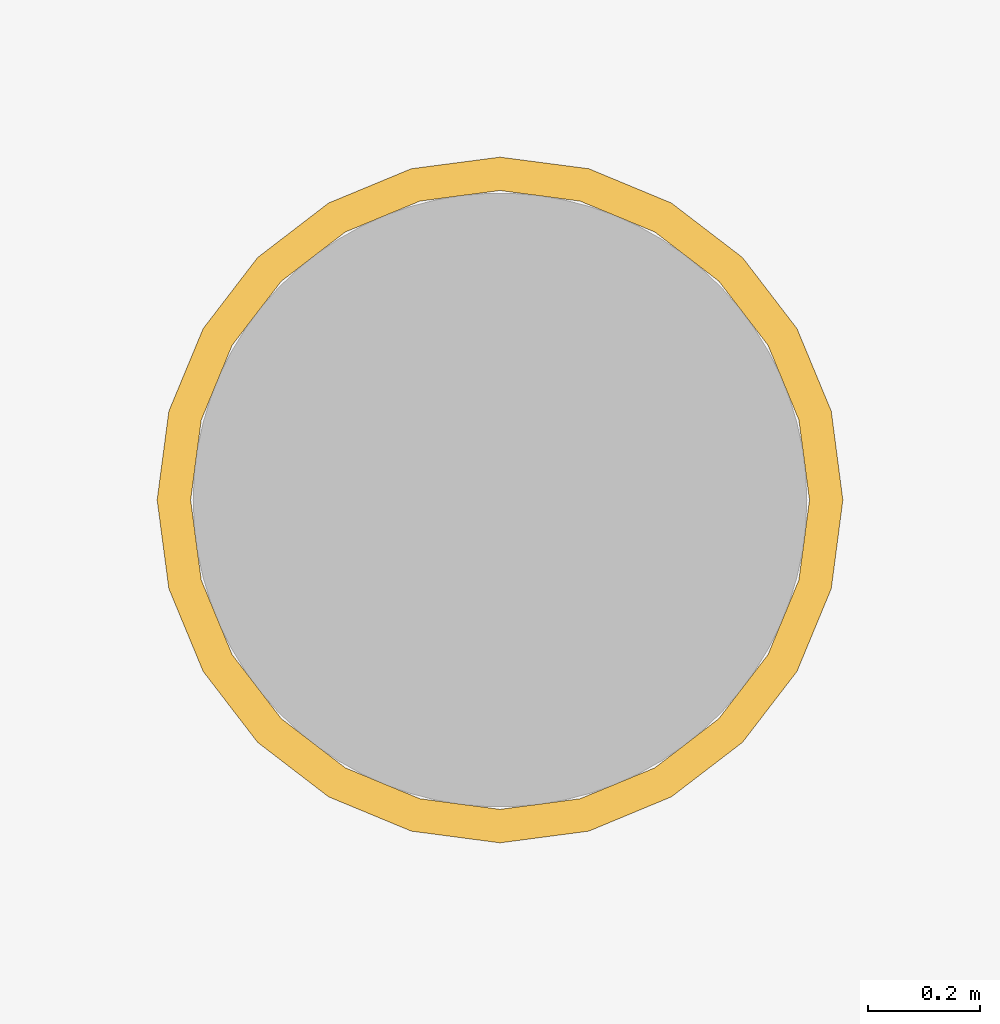
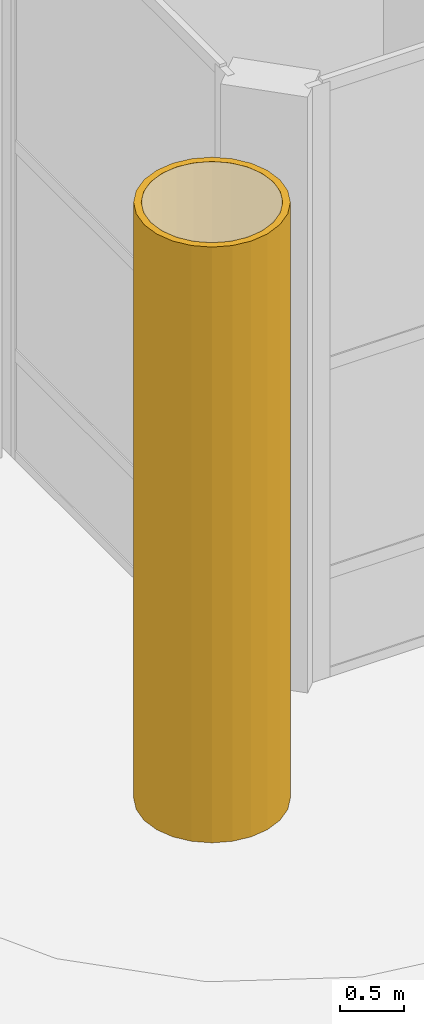
# One storey, part 23 of 32: 1 covering.
"""IFC4 building model written with IfcOpenShell, lengths in metres."""

from ifc_helpers import new_model, si_unit, direction, origin, place, context, subcontext, project, spatial, polyline, outline, extrude, material, layer, layer_set, type_object, element, save


model = new_model("IFC4")

# Units and contexts
model_context = context("Model", 3, precision=1e-05, world=origin(), true_north=direction((0.0, 1.0)))
body_context = subcontext(model_context, "Body", "Model", "MODEL_VIEW")
ifc_project = project(units=[si_unit("LENGTHUNIT", "METRE"), si_unit("AREAUNIT", "SQUARE_METRE"), si_unit("VOLUMEUNIT", "CUBIC_METRE"), si_unit("PLANEANGLEUNIT", "RADIAN"), si_unit("MASSUNIT", "GRAM", prefix="KILO")], contexts=[model_context])

# Site, building, storey
site_placement = place(None, origin())
site = spatial("IfcSite", under=ifc_project, at=site_placement, CompositionType="ELEMENT")
building_placement = place(site_placement, origin())
building = spatial("IfcBuilding", under=site, at=building_placement, Name="Ludao Terraces", CompositionType="ELEMENT")
storey_placement = place(building_placement, origin())
storey = spatial("IfcBuildingStorey", under=building, at=storey_placement, Name="L00", CompositionType="ELEMENT", Elevation=0.0)

# Covering
ifc_material = material(Name="Granite cladding", Category="masonry")
ifc_layer = layer(ifc_material, 0.06005859375)
ifc_layer_set = layer_set([ifc_layer], Name="ENV Stone column casing 60")
covering_type = type_object("IfcCoveringType", Name="ENV Stone column casing 60", PredefinedType="CLADDING", material=ifc_layer_set)
covering_placement = place(storey_placement, origin())
element("IfcCovering", 1, at=covering_placement, inside=storey, type_object=covering_type, Name="CC-L00-G-127x-127", PredefinedType="CLADDING", context=body_context, shape_type="SweptSolid", body=[
    extrude(outline(polyline([(49.5146484375, 28.89990234375), (49.493896484375, 29.05908203125), (49.432373046875, 29.207275390625), (49.334716796875, 29.334716796875), (49.207275390625, 29.432373046875), (49.05908203125, 29.493896484375), (48.89990234375, 29.5146484375), (48.740966796875, 29.493896484375), (48.592529296875, 29.432373046875), (48.46533203125, 29.334716796875), (48.36767578125, 29.207275390625), (48.30615234375, 29.05908203125), (48.28515625, 28.89990234375), (48.30615234375, 28.740966796875), (48.36767578125, 28.592529296875), (48.46533203125, 28.46533203125), (48.592529296875, 28.36767578125), (48.740966796875, 28.30615234375), (48.89990234375, 28.28515625), (49.05908203125, 28.30615234375), (49.207275390625, 28.36767578125), (49.334716796875, 28.46533203125), (49.432373046875, 28.592529296875), (49.493896484375, 28.740966796875), (49.5146484375, 28.89990234375)]), holes=[polyline([(49.435791015625, 28.75634765625), (49.38037109375, 28.62255859375), (49.292236328125, 28.5078125), (49.177490234375, 28.419677734375), (49.04345703125, 28.3642578125), (48.89990234375, 28.34521484375), (48.75634765625, 28.3642578125), (48.62255859375, 28.419677734375), (48.5078125, 28.5078125), (48.419677734375, 28.62255859375), (48.3642578125, 28.75634765625), (48.34521484375, 28.89990234375), (48.3642578125, 29.04345703125), (48.419677734375, 29.177490234375), (48.5078125, 29.292236328125), (48.62255859375, 29.38037109375), (48.75634765625, 29.435791015625), (48.89990234375, 29.454833984375), (49.04345703125, 29.435791015625), (49.177490234375, 29.38037109375), (49.292236328125, 29.292236328125), (49.38037109375, 29.177490234375), (49.435791015625, 29.04345703125), (49.454833984375, 28.89990234375), (49.435791015625, 28.75634765625)])]), origin(), (0.0, 0.0, 1.0), 5.699951171875),
])

save(model, "model.ifc")
